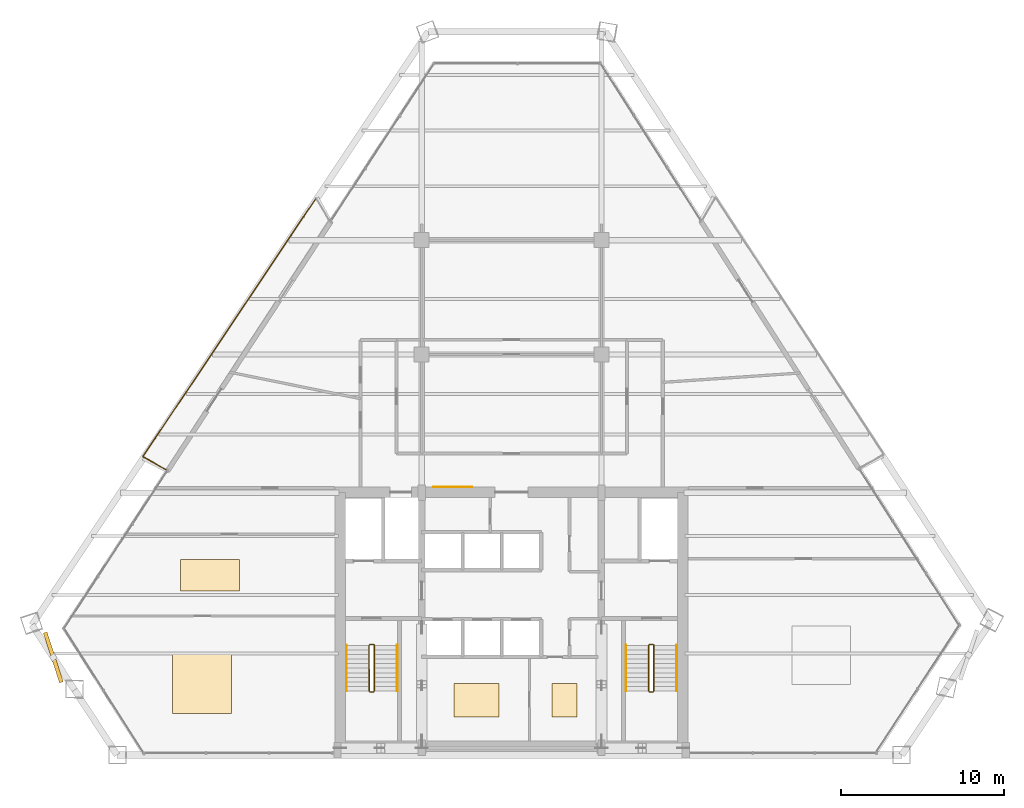
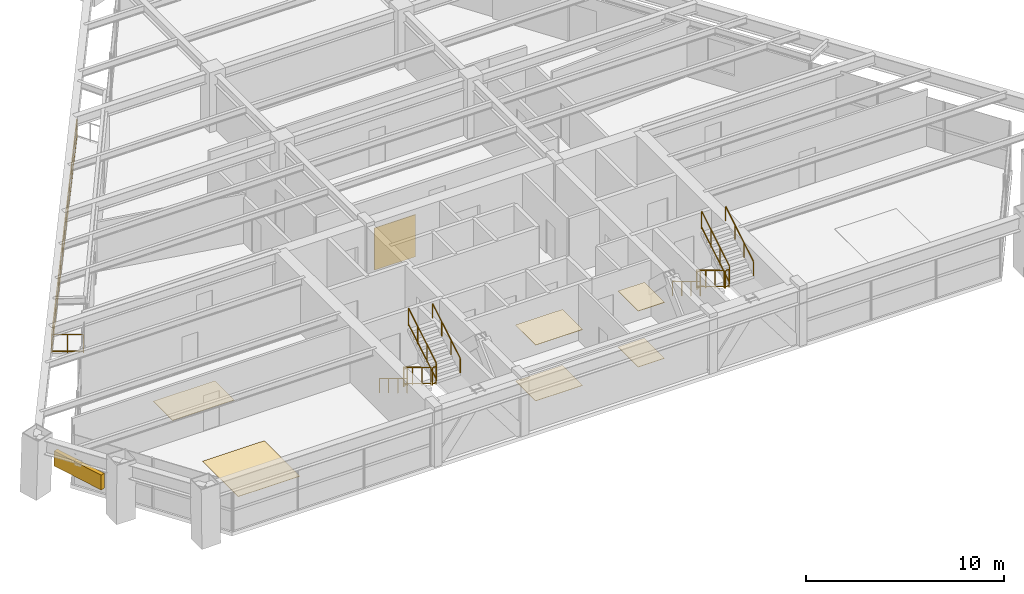
# One storey, part 13 of 14: 14 railings, 7 coverings, 1 shading device.
"""IFC4 building model written with IfcOpenShell, lengths in metres."""

from ifc_helpers import new_model, si_unit, direction, frame, origin, origin_2d, place, context, subcontext, project, spatial, rectangle, extrude, source, transform, mapped, material, layer, layer_set, type_object, type_shapes, element, save


model = new_model("IFC4")

# Units and contexts
model_context = context("Model", 3, precision=1e-05, world=origin(), true_north=direction((0.0, 1.0)))
body_context = subcontext(model_context, "Body", "Model", "MODEL_VIEW")
ifc_project = project(units=[si_unit("LENGTHUNIT", "METRE"), si_unit("AREAUNIT", "SQUARE_METRE"), si_unit("VOLUMEUNIT", "CUBIC_METRE"), si_unit("PLANEANGLEUNIT", "RADIAN"), si_unit("MASSUNIT", "GRAM", prefix="KILO")], contexts=[model_context])

# Site, building, storey
site_placement = place(None, origin())
site = spatial("IfcSite", under=ifc_project, at=site_placement, CompositionType="ELEMENT")
building_placement = place(site_placement, origin())
building = spatial("IfcBuilding", under=site, at=building_placement, Name="Varnakhor Terracotta Tower", CompositionType="ELEMENT")
storey_placement = place(building_placement, frame((0.0, 0.0, 133.0)))
storey = spatial("IfcBuildingStorey", under=building, at=storey_placement, Name="L33", CompositionType="ELEMENT", Elevation=133.0)

# Railings
ifc_material_1 = material(Name="Stainless Steel & Laminated Glass Guardrail", Category="steel")
railing_type_1 = type_object("IfcRailingType", Name="RLG-LOGGIA-GUARD-1150", PredefinedType="GUARDRAIL", material=ifc_material_1)
railing_1_placement = place(storey_placement, frame((-21.159912109375, 17.462646484375, 0.0)))
element("IfcRailing", 1, at=railing_1_placement, inside=storey, type_object=railing_type_1, Name="L33 W Loggia Glass Guard 1", PredefinedType="GUARDRAIL", context=body_context, shape_type="SweptSolid", body=[
    extrude(rectangle(XDim=0.048095703125, YDim=0.048095703125, at=origin_2d()), frame((0.0, 0.0, 1.1259765625), z_axis=(-0.870540228772, 0.492097256738, 0.0), x_axis=(-0.492097256738, -0.870540228772, 0.0)), (0.0, 0.0, 1.0), 1.60888671875),
    extrude(rectangle(XDim=0.048095703125, YDim=0.048095703125, at=origin_2d()), frame((0.0, 0.0, 0.10009765625), z_axis=(-0.870540228772, 0.492097256738, 0.0), x_axis=(-0.492097256738, -0.870540228772, 0.0)), (0.0, 0.0, 1.0), 1.60888671875),
    extrude(rectangle(XDim=0.0419921875, YDim=0.0419921875, at=origin_2d()), origin(), (0.0, 0.0, 1.0), 1.101806640625),
    extrude(rectangle(XDim=0.0419921875, YDim=0.0419921875, at=origin_2d()), frame((-0.7001953125, 0.39599609375, 0.0)), (0.0, 0.0, 1.0), 1.101806640625),
    extrude(rectangle(XDim=0.0419921875, YDim=0.0419921875, at=origin_2d()), frame((-1.400634765625, 0.791748046875, 0.0)), (0.0, 0.0, 1.0), 1.101806640625),
])
railing_2_placement = place(storey_placement, frame((-22.560546875, 18.25439453125, 0.0)))
element("IfcRailing", 2, at=railing_2_placement, inside=storey, type_object=railing_type_1, Name="L33 W Loggia Glass Guard 2", PredefinedType="GUARDRAIL", context=body_context, shape_type="SweptSolid", body=[
    extrude(rectangle(XDim=0.048095703125, YDim=0.048095703125, at=origin_2d()), frame((0.0, 0.0, 1.1259765625), z_axis=(0.556667052983, 0.8307356933, 0.0), x_axis=(-0.8307356933, 0.556667052983, 0.0)), (0.0, 0.0, 1.0), 19.03369140625),
    extrude(rectangle(XDim=0.048095703125, YDim=0.048095703125, at=origin_2d()), frame((0.0, 0.0, 0.10009765625), z_axis=(0.556667052983, 0.8307356933, 0.0), x_axis=(-0.8307356933, 0.556667052983, 0.0)), (0.0, 0.0, 1.0), 19.03369140625),
    extrude(rectangle(XDim=0.0419921875, YDim=0.0419921875, at=origin_2d()), origin(), (0.0, 0.0, 1.0), 1.101806640625),
    extrude(rectangle(XDim=0.0419921875, YDim=0.0419921875, at=origin_2d()), frame((0.7568359375, 1.12939453125, 0.0)), (0.0, 0.0, 1.0), 1.101806640625),
    extrude(rectangle(XDim=0.0419921875, YDim=0.0419921875, at=origin_2d()), frame((1.513671875, 2.2587890625, 0.0)), (0.0, 0.0, 1.0), 1.101806640625),
    extrude(rectangle(XDim=0.0419921875, YDim=0.0419921875, at=origin_2d()), frame((2.2705078125, 3.38818359375, 0.0)), (0.0, 0.0, 1.0), 1.101806640625),
    extrude(rectangle(XDim=0.0419921875, YDim=0.0419921875, at=origin_2d()), frame((3.02734375, 4.517822265625, 0.0)), (0.0, 0.0, 1.0), 1.101806640625),
    extrude(rectangle(XDim=0.0419921875, YDim=0.0419921875, at=origin_2d()), frame((3.7841796875, 5.647216796875, 0.0)), (0.0, 0.0, 1.0), 1.101806640625),
    extrude(rectangle(XDim=0.0419921875, YDim=0.0419921875, at=origin_2d()), frame((4.541015625, 6.776611328125, 0.0)), (0.0, 0.0, 1.0), 1.101806640625),
    extrude(rectangle(XDim=0.0419921875, YDim=0.0419921875, at=origin_2d()), frame((5.2978515625, 7.906005859375, 0.0)), (0.0, 0.0, 1.0), 1.101806640625),
    extrude(rectangle(XDim=0.0419921875, YDim=0.0419921875, at=origin_2d()), frame((6.054443359375, 9.035400390625, 0.0)), (0.0, 0.0, 1.0), 1.101806640625),
    extrude(rectangle(XDim=0.0419921875, YDim=0.0419921875, at=origin_2d()), frame((6.811279296875, 10.164794921875, 0.0)), (0.0, 0.0, 1.0), 1.101806640625),
    extrude(rectangle(XDim=0.0419921875, YDim=0.0419921875, at=origin_2d()), frame((7.568115234375, 11.294189453125, 0.0)), (0.0, 0.0, 1.0), 1.101806640625),
    extrude(rectangle(XDim=0.0419921875, YDim=0.0419921875, at=origin_2d()), frame((8.324951171875, 12.423828125, 0.0)), (0.0, 0.0, 1.0), 1.101806640625),
    extrude(rectangle(XDim=0.0419921875, YDim=0.0419921875, at=origin_2d()), frame((9.081787109375, 13.55322265625, 0.0)), (0.0, 0.0, 1.0), 1.101806640625),
    extrude(rectangle(XDim=0.0419921875, YDim=0.0419921875, at=origin_2d()), frame((9.838623046875, 14.6826171875, 0.0)), (0.0, 0.0, 1.0), 1.101806640625),
    extrude(rectangle(XDim=0.0419921875, YDim=0.0419921875, at=origin_2d()), frame((10.595458984375, 15.81201171875, 0.0)), (0.0, 0.0, 1.0), 1.101806640625),
])
ifc_material_2 = material(Name="Painted Steel Stairwell Guardrail", Category="steel")
railing_type_2 = type_object("IfcRailingType", Name="RLG-STAIR-GUARD-1120", PredefinedType="GUARDRAIL", material=ifc_material_2)
railing_3_placement = place(storey_placement, frame((-8.699951171875, 6.7099609375, 0.168212890625)))
element("IfcRailing", 3, at=railing_3_placement, inside=storey, type_object=railing_type_2, Name="L33 ST-1 stair guard 1", PredefinedType="GUARDRAIL", context=body_context, shape_type="SweptSolid", body=[
    extrude(rectangle(XDim=0.048095703125, YDim=0.048095703125, at=origin_2d()), frame((0.0, 0.0, 1.09619140625), z_axis=(0.0, -0.857242210791, 0.514913383045), x_axis=(1.0, 0.0, 0.0)), (0.0, 0.0, 1.0), 3.266357421875),
    extrude(rectangle(XDim=0.048095703125, YDim=0.048095703125, at=origin_2d()), frame((0.0, 0.0, 0.10009765625), z_axis=(0.0, -0.857242210791, 0.514913383045), x_axis=(1.0, 0.0, 0.0)), (0.0, 0.0, 1.0), 3.266357421875),
    extrude(rectangle(XDim=0.0419921875, YDim=0.0419921875, at=origin_2d()), origin(), (0.0, 0.0, 1.0), 1.072021484375),
    extrude(rectangle(XDim=0.0419921875, YDim=0.0419921875, at=origin_2d()), frame((0.0, -0.933349609375, 0.560546875)), (0.0, 0.0, 1.0), 1.072021484375),
    extrude(rectangle(XDim=0.0419921875, YDim=0.0419921875, at=origin_2d()), frame((0.0, -1.86669921875, 1.121337890625)), (0.0, 0.0, 1.0), 1.072021484375),
    extrude(rectangle(XDim=0.0419921875, YDim=0.0419921875, at=origin_2d()), frame((0.0, -2.800048828125, 1.681884765625)), (0.0, 0.0, 1.0), 1.072021484375),
])
railing_4_placement = place(storey_placement, frame((-8.64990234375, 3.860107421875, 1.85009765625)))
element("IfcRailing", 4, at=railing_4_placement, inside=storey, type_object=railing_type_2, Name="L33 ST-1 stair guard 2", PredefinedType="GUARDRAIL", context=body_context, shape_type="SweptSolid", body=[
    extrude(rectangle(XDim=0.048095703125, YDim=0.048095703125, at=origin_2d()), frame((0.0, 0.0, 1.09619140625), z_axis=(1.0, 0.0, 0.0), x_axis=(0.0, 1.0, 0.0)), (0.0, 0.0, 1.0), 0.199951171875),
    extrude(rectangle(XDim=0.048095703125, YDim=0.048095703125, at=origin_2d()), frame((0.0, 0.0, 0.10009765625), z_axis=(1.0, 0.0, 0.0), x_axis=(0.0, 1.0, 0.0)), (0.0, 0.0, 1.0), 0.199951171875),
    extrude(rectangle(XDim=0.0419921875, YDim=0.0419921875, at=origin_2d()), origin(), (0.0, 0.0, 1.0), 1.072021484375),
    extrude(rectangle(XDim=0.0419921875, YDim=0.0419921875, at=origin_2d()), frame((0.199951171875, 0.0, 0.0)), (0.0, 0.0, 1.0), 1.072021484375),
])
railing_5_placement = place(storey_placement, frame((-8.39990234375, 3.909912109375, 2.01806640625)))
element("IfcRailing", 5, at=railing_5_placement, inside=storey, type_object=railing_type_2, Name="L33 ST-1 stair guard 3", PredefinedType="GUARDRAIL", context=body_context, shape_type="SweptSolid", body=[
    extrude(rectangle(XDim=0.048095703125, YDim=0.048095703125, at=origin_2d()), frame((0.0, 0.0, 1.09619140625), z_axis=(0.0, 0.857242210791, 0.514913383045), x_axis=(-1.0, 0.0, 0.0)), (0.0, 0.0, 1.0), 3.266357421875),
    extrude(rectangle(XDim=0.048095703125, YDim=0.048095703125, at=origin_2d()), frame((0.0, 0.0, 0.10009765625), z_axis=(0.0, 0.857242210791, 0.514913383045), x_axis=(-1.0, 0.0, 0.0)), (0.0, 0.0, 1.0), 3.266357421875),
    extrude(rectangle(XDim=0.0419921875, YDim=0.0419921875, at=origin_2d()), origin(), (0.0, 0.0, 1.0), 1.072021484375),
    extrude(rectangle(XDim=0.0419921875, YDim=0.0419921875, at=origin_2d()), frame((0.0, 0.933349609375, 0.560546875)), (0.0, 0.0, 1.0), 1.072021484375),
    extrude(rectangle(XDim=0.0419921875, YDim=0.0419921875, at=origin_2d()), frame((0.0, 1.86669921875, 1.121337890625)), (0.0, 0.0, 1.0), 1.072021484375),
    extrude(rectangle(XDim=0.0419921875, YDim=0.0419921875, at=origin_2d()), frame((0.0, 2.800048828125, 1.681884765625)), (0.0, 0.0, 1.0), 1.072021484375),
])
railing_6_placement = place(storey_placement, frame((-8.64990234375, 6.760009765625, 0.0)))
element("IfcRailing", 6, at=railing_6_placement, inside=storey, type_object=railing_type_2, Name="L33 ST-1 stair guard 4", PredefinedType="GUARDRAIL", context=body_context, shape_type="SweptSolid", body=[
    extrude(rectangle(XDim=0.048095703125, YDim=0.048095703125, at=origin_2d()), frame((0.0, 0.0, 1.09619140625), z_axis=(1.0, 0.0, 0.0), x_axis=(0.0, 1.0, 0.0)), (0.0, 0.0, 1.0), 0.199951171875),
    extrude(rectangle(XDim=0.048095703125, YDim=0.048095703125, at=origin_2d()), frame((0.0, 0.0, 0.10009765625), z_axis=(1.0, 0.0, 0.0), x_axis=(0.0, 1.0, 0.0)), (0.0, 0.0, 1.0), 0.199951171875),
    extrude(rectangle(XDim=0.0419921875, YDim=0.0419921875, at=origin_2d()), origin(), (0.0, 0.0, 1.0), 1.072021484375),
    extrude(rectangle(XDim=0.0419921875, YDim=0.0419921875, at=origin_2d()), frame((0.199951171875, 0.0, 0.0)), (0.0, 0.0, 1.0), 1.072021484375),
])
railing_7_placement = place(storey_placement, frame((8.39990234375, 6.7099609375, 0.168212890625)))
element("IfcRailing", 7, at=railing_7_placement, inside=storey, type_object=railing_type_2, Name="L33 ST-2 stair guard 1", PredefinedType="GUARDRAIL", context=body_context, shape_type="SweptSolid", body=[
    extrude(rectangle(XDim=0.048095703125, YDim=0.048095703125, at=origin_2d()), frame((0.0, 0.0, 1.09619140625), z_axis=(0.0, -0.857242210791, 0.514913383045), x_axis=(1.0, 0.0, 0.0)), (0.0, 0.0, 1.0), 3.266357421875),
    extrude(rectangle(XDim=0.048095703125, YDim=0.048095703125, at=origin_2d()), frame((0.0, 0.0, 0.10009765625), z_axis=(0.0, -0.857242210791, 0.514913383045), x_axis=(1.0, 0.0, 0.0)), (0.0, 0.0, 1.0), 3.266357421875),
    extrude(rectangle(XDim=0.0419921875, YDim=0.0419921875, at=origin_2d()), origin(), (0.0, 0.0, 1.0), 1.072021484375),
    extrude(rectangle(XDim=0.0419921875, YDim=0.0419921875, at=origin_2d()), frame((0.0, -0.933349609375, 0.560546875)), (0.0, 0.0, 1.0), 1.072021484375),
    extrude(rectangle(XDim=0.0419921875, YDim=0.0419921875, at=origin_2d()), frame((0.0, -1.86669921875, 1.121337890625)), (0.0, 0.0, 1.0), 1.072021484375),
    extrude(rectangle(XDim=0.0419921875, YDim=0.0419921875, at=origin_2d()), frame((0.0, -2.800048828125, 1.681884765625)), (0.0, 0.0, 1.0), 1.072021484375),
])
railing_8_placement = place(storey_placement, frame((8.449951171875, 3.860107421875, 1.85009765625)))
element("IfcRailing", 8, at=railing_8_placement, inside=storey, type_object=railing_type_2, Name="L33 ST-2 stair guard 2", PredefinedType="GUARDRAIL", context=body_context, shape_type="SweptSolid", body=[
    extrude(rectangle(XDim=0.048095703125, YDim=0.048095703125, at=origin_2d()), frame((0.0, 0.0, 1.09619140625), z_axis=(1.0, 0.0, 0.0), x_axis=(0.0, 1.0, 0.0)), (0.0, 0.0, 1.0), 0.199951171875),
    extrude(rectangle(XDim=0.048095703125, YDim=0.048095703125, at=origin_2d()), frame((0.0, 0.0, 0.10009765625), z_axis=(1.0, 0.0, 0.0), x_axis=(0.0, 1.0, 0.0)), (0.0, 0.0, 1.0), 0.199951171875),
    extrude(rectangle(XDim=0.0419921875, YDim=0.0419921875, at=origin_2d()), origin(), (0.0, 0.0, 1.0), 1.072021484375),
    extrude(rectangle(XDim=0.0419921875, YDim=0.0419921875, at=origin_2d()), frame((0.199951171875, 0.0, 0.0)), (0.0, 0.0, 1.0), 1.072021484375),
])
railing_9_placement = place(storey_placement, frame((8.699951171875, 3.909912109375, 2.01806640625)))
element("IfcRailing", 9, at=railing_9_placement, inside=storey, type_object=railing_type_2, Name="L33 ST-2 stair guard 3", PredefinedType="GUARDRAIL", context=body_context, shape_type="SweptSolid", body=[
    extrude(rectangle(XDim=0.048095703125, YDim=0.048095703125, at=origin_2d()), frame((0.0, 0.0, 1.09619140625), z_axis=(0.0, 0.857242210791, 0.514913383045), x_axis=(-1.0, 0.0, 0.0)), (0.0, 0.0, 1.0), 3.266357421875),
    extrude(rectangle(XDim=0.048095703125, YDim=0.048095703125, at=origin_2d()), frame((0.0, 0.0, 0.10009765625), z_axis=(0.0, 0.857242210791, 0.514913383045), x_axis=(-1.0, 0.0, 0.0)), (0.0, 0.0, 1.0), 3.266357421875),
    extrude(rectangle(XDim=0.0419921875, YDim=0.0419921875, at=origin_2d()), origin(), (0.0, 0.0, 1.0), 1.072021484375),
    extrude(rectangle(XDim=0.0419921875, YDim=0.0419921875, at=origin_2d()), frame((0.0, 0.933349609375, 0.560546875)), (0.0, 0.0, 1.0), 1.072021484375),
    extrude(rectangle(XDim=0.0419921875, YDim=0.0419921875, at=origin_2d()), frame((0.0, 1.86669921875, 1.121337890625)), (0.0, 0.0, 1.0), 1.072021484375),
    extrude(rectangle(XDim=0.0419921875, YDim=0.0419921875, at=origin_2d()), frame((0.0, 2.800048828125, 1.681884765625)), (0.0, 0.0, 1.0), 1.072021484375),
])
railing_10_placement = place(storey_placement, frame((8.449951171875, 6.760009765625, 0.0)))
element("IfcRailing", 10, at=railing_10_placement, inside=storey, type_object=railing_type_2, Name="L33 ST-2 stair guard 4", PredefinedType="GUARDRAIL", context=body_context, shape_type="SweptSolid", body=[
    extrude(rectangle(XDim=0.048095703125, YDim=0.048095703125, at=origin_2d()), frame((0.0, 0.0, 1.09619140625), z_axis=(1.0, 0.0, 0.0), x_axis=(0.0, 1.0, 0.0)), (0.0, 0.0, 1.0), 0.199951171875),
    extrude(rectangle(XDim=0.048095703125, YDim=0.048095703125, at=origin_2d()), frame((0.0, 0.0, 0.10009765625), z_axis=(1.0, 0.0, 0.0), x_axis=(0.0, 1.0, 0.0)), (0.0, 0.0, 1.0), 0.199951171875),
    extrude(rectangle(XDim=0.0419921875, YDim=0.0419921875, at=origin_2d()), origin(), (0.0, 0.0, 1.0), 1.072021484375),
    extrude(rectangle(XDim=0.0419921875, YDim=0.0419921875, at=origin_2d()), frame((0.199951171875, 0.0, 0.0)), (0.0, 0.0, 1.0), 1.072021484375),
])
ifc_material_3 = material(Name="Brushed Stainless Steel Handrail", Category="steel")
railing_type_3 = type_object("IfcRailingType", Name="RLG-STAIR-HANDRAIL-920", PredefinedType="HANDRAIL", material=ifc_material_3)
railing_11_placement = place(storey_placement, frame((-10.10009765625, 6.7099609375, 0.168212890625)))
element("IfcRailing", 11, at=railing_11_placement, inside=storey, type_object=railing_type_3, Name="L33 ST-1 stair handrail 1", PredefinedType="HANDRAIL", context=body_context, shape_type="SweptSolid", body=[
    extrude(rectangle(XDim=0.048095703125, YDim=0.048095703125, at=origin_2d()), frame((0.0, 0.0, 0.89599609375), z_axis=(0.0, -0.857242210791, 0.514913383045), x_axis=(1.0, 0.0, 0.0)), (0.0, 0.0, 1.0), 3.266357421875),
    extrude(rectangle(XDim=0.0419921875, YDim=0.0419921875, at=origin_2d()), origin(), (0.0, 0.0, 1.0), 0.871826171875),
    extrude(rectangle(XDim=0.0419921875, YDim=0.0419921875, at=origin_2d()), frame((0.0, -0.933349609375, 0.560546875)), (0.0, 0.0, 1.0), 0.871826171875),
    extrude(rectangle(XDim=0.0419921875, YDim=0.0419921875, at=origin_2d()), frame((0.0, -1.86669921875, 1.121337890625)), (0.0, 0.0, 1.0), 0.871826171875),
    extrude(rectangle(XDim=0.0419921875, YDim=0.0419921875, at=origin_2d()), frame((0.0, -2.800048828125, 1.681884765625)), (0.0, 0.0, 1.0), 0.871826171875),
])
railing_12_placement = place(storey_placement, frame((-7.0, 3.909912109375, 2.01806640625)))
element("IfcRailing", 12, at=railing_12_placement, inside=storey, type_object=railing_type_3, Name="L33 ST-1 stair handrail 2", PredefinedType="HANDRAIL", context=body_context, shape_type="SweptSolid", body=[
    extrude(rectangle(XDim=0.048095703125, YDim=0.048095703125, at=origin_2d()), frame((0.0, 0.0, 0.89599609375), z_axis=(0.0, 0.857242210791, 0.514913383045), x_axis=(-1.0, 0.0, 0.0)), (0.0, 0.0, 1.0), 3.266357421875),
    extrude(rectangle(XDim=0.0419921875, YDim=0.0419921875, at=origin_2d()), origin(), (0.0, 0.0, 1.0), 0.871826171875),
    extrude(rectangle(XDim=0.0419921875, YDim=0.0419921875, at=origin_2d()), frame((0.0, 0.933349609375, 0.560546875)), (0.0, 0.0, 1.0), 0.871826171875),
    extrude(rectangle(XDim=0.0419921875, YDim=0.0419921875, at=origin_2d()), frame((0.0, 1.86669921875, 1.121337890625)), (0.0, 0.0, 1.0), 0.871826171875),
    extrude(rectangle(XDim=0.0419921875, YDim=0.0419921875, at=origin_2d()), frame((0.0, 2.800048828125, 1.681884765625)), (0.0, 0.0, 1.0), 0.871826171875),
])
railing_13_placement = place(storey_placement, frame((7.0, 6.7099609375, 0.168212890625)))
element("IfcRailing", 13, at=railing_13_placement, inside=storey, type_object=railing_type_3, Name="L33 ST-2 stair handrail 1", PredefinedType="HANDRAIL", context=body_context, shape_type="SweptSolid", body=[
    extrude(rectangle(XDim=0.048095703125, YDim=0.048095703125, at=origin_2d()), frame((0.0, 0.0, 0.89599609375), z_axis=(0.0, -0.857242210791, 0.514913383045), x_axis=(1.0, 0.0, 0.0)), (0.0, 0.0, 1.0), 3.266357421875),
    extrude(rectangle(XDim=0.0419921875, YDim=0.0419921875, at=origin_2d()), origin(), (0.0, 0.0, 1.0), 0.871826171875),
    extrude(rectangle(XDim=0.0419921875, YDim=0.0419921875, at=origin_2d()), frame((0.0, -0.933349609375, 0.560546875)), (0.0, 0.0, 1.0), 0.871826171875),
    extrude(rectangle(XDim=0.0419921875, YDim=0.0419921875, at=origin_2d()), frame((0.0, -1.86669921875, 1.121337890625)), (0.0, 0.0, 1.0), 0.871826171875),
    extrude(rectangle(XDim=0.0419921875, YDim=0.0419921875, at=origin_2d()), frame((0.0, -2.800048828125, 1.681884765625)), (0.0, 0.0, 1.0), 0.871826171875),
])
railing_14_placement = place(storey_placement, frame((10.10009765625, 3.909912109375, 2.01806640625)))
element("IfcRailing", 14, at=railing_14_placement, inside=storey, type_object=railing_type_3, Name="L33 ST-2 stair handrail 2", PredefinedType="HANDRAIL", context=body_context, shape_type="SweptSolid", body=[
    extrude(rectangle(XDim=0.048095703125, YDim=0.048095703125, at=origin_2d()), frame((0.0, 0.0, 0.89599609375), z_axis=(0.0, 0.857242210791, 0.514913383045), x_axis=(-1.0, 0.0, 0.0)), (0.0, 0.0, 1.0), 3.266357421875),
    extrude(rectangle(XDim=0.0419921875, YDim=0.0419921875, at=origin_2d()), origin(), (0.0, 0.0, 1.0), 0.871826171875),
    extrude(rectangle(XDim=0.0419921875, YDim=0.0419921875, at=origin_2d()), frame((0.0, 0.933349609375, 0.560546875)), (0.0, 0.0, 1.0), 0.871826171875),
    extrude(rectangle(XDim=0.0419921875, YDim=0.0419921875, at=origin_2d()), frame((0.0, 1.86669921875, 1.121337890625)), (0.0, 0.0, 1.0), 0.871826171875),
    extrude(rectangle(XDim=0.0419921875, YDim=0.0419921875, at=origin_2d()), frame((0.0, 2.800048828125, 1.681884765625)), (0.0, 0.0, 1.0), 0.871826171875),
])

# Shading device
ifc_material_4 = material(Name="Extruded Architectural Terracotta Screen", Category="masonry")
shading_device_type = type_object("IfcShadingDeviceType", Name="TERRACOTTA SOLAR SCREEN W", PredefinedType="USERDEFINED", material=ifc_material_4)
shared_shape_1 = source(origin(), body_context, "Body", "SweptSolid", [
    extrude(rectangle(XDim=3.199951171875, YDim=0.239990234375, at=origin_2d()), origin(), (0.0, 0.0, 1.0), 0.919921875),
])
type_shapes(shading_device_type, [shared_shape_1])
shading_device_placement = place(storey_placement, frame((-28.042236328125, 5.971435546875, 1.7099609375), z_axis=(0.0, 0.0, 1.0), x_axis=(0.311721388246, -0.950173550521, 0.0)))
element("IfcShadingDevice", 15, at=shading_device_placement, inside=storey, type_object=shading_device_type, Name="L33 W Terracotta Solar Screen", ObjectType="SCREEN", PredefinedType="USERDEFINED", context=body_context, shape_type="MappedRepresentation", body=[
    mapped(shared_shape_1, transform((0.0, 0.0, 0.0), scale=1.0)),
])

# Coverings
ifc_material_5 = material(Name="Extruded Architectural Terracotta Cladding", Category="masonry")
ifc_layer_1 = layer(ifc_material_5, 0.044921875, Name="Extruded Architectural Terracotta Cladding")
ifc_layer_set_1 = layer_set([ifc_layer_1], Name="Extruded Architectural Terracotta Cladding")
covering_type_1 = type_object("IfcCoveringType", Name="COV-CLAD-TERRACOTTA", PredefinedType="CLADDING", material=ifc_layer_set_1)
shared_shape_2 = source(origin(), body_context, "Body", "SweptSolid", [
    extrude(rectangle(XDim=2.39990234375, YDim=0.030029296875, at=origin_2d()), origin(), (0.0, 0.0, 1.0), 2.60009765625),
])
type_shapes(covering_type_1, [shared_shape_2])
covering_1_placement = place(storey_placement, frame((-3.60009765625, 16.412109375, 0.0), z_axis=(0.0, 0.0, 1.0), x_axis=(1.0, 0.0, 0.0)))
element("IfcCovering", 16, at=covering_1_placement, inside=storey, type_object=covering_type_1, Name="L33 Core Lobby Limestone Cladding", PredefinedType="CLADDING", context=body_context, shape_type="MappedRepresentation", body=[
    mapped(shared_shape_2, transform((0.0, 0.0, 0.0), scale=1.0)),
])
ifc_material_6 = material(Name="Honed Riyadh Limestone Flooring", Category="masonry")
ifc_layer_2 = layer(ifc_material_6, 0.030029296875, Name="Honed Riyadh Limestone Flooring")
ifc_layer_set_2 = layer_set([ifc_layer_2], Name="Honed Riyadh Limestone Flooring")
covering_type_2 = type_object("IfcCoveringType", Name="COV-FLOOR-LIMESTONE", PredefinedType="FLOORING", material=ifc_layer_set_2)
shared_shape_3 = source(origin(), body_context, "Body", "SweptSolid", [
    extrude(rectangle(XDim=3.60009765625, YDim=3.60009765625, at=origin_2d()), origin(), (0.0, 0.0, 1.0), 0.02001953125),
])
covering_2_placement = place(storey_placement, frame((-18.94189453125, 4.35205078125, 0.0), z_axis=(0.0, 0.0, 1.0), x_axis=(1.0, 0.0, 0.0)))
element("IfcCovering", 17, at=covering_2_placement, inside=storey, type_object=covering_type_2, Name="L33 Honed Stone Flooring 3", PredefinedType="FLOORING", context=body_context, shape_type="MappedRepresentation", body=[
    mapped(shared_shape_3, transform((0.0, 0.0, 0.0), scale=1.0)),
])
shared_shape_4 = source(origin(), body_context, "Body", "SweptSolid", [
    extrude(rectangle(XDim=3.60009765625, YDim=1.950927734375, at=origin_2d()), origin(), (0.0, 0.0, 1.0), 0.02001953125),
])
covering_3_placement = place(storey_placement, frame((-18.45703125, 11.0, 0.0), z_axis=(0.0, 0.0, 1.0), x_axis=(1.0, 0.0, 0.0)))
element("IfcCovering", 18, at=covering_3_placement, inside=storey, type_object=covering_type_2, Name="L33 Honed Stone Flooring 5", PredefinedType="FLOORING", context=body_context, shape_type="MappedRepresentation", body=[
    mapped(shared_shape_4, transform((0.0, 0.0, 0.0), scale=1.0)),
])
shared_shape_5 = source(origin(), body_context, "Body", "SweptSolid", [
    extrude(rectangle(XDim=2.75, YDim=2.041015625, at=origin_2d()), origin(), (0.0, 0.0, 1.0), 0.02001953125),
])
covering_4_placement = place(storey_placement, frame((-2.139892578125, 3.35498046875, 0.0), z_axis=(0.0, 0.0, 1.0), x_axis=(1.0, 0.0, 0.0)))
element("IfcCovering", 19, at=covering_4_placement, inside=storey, type_object=covering_type_2, Name="L33 Honed Stone Flooring 1", PredefinedType="FLOORING", context=body_context, shape_type="MappedRepresentation", body=[
    mapped(shared_shape_5, transform((0.0, 0.0, 0.0), scale=1.0)),
])
ifc_material_7 = material(Name="Perforated Acoustic Mineral-Fibre Ceiling", Category="gypsum")
ifc_layer_3 = layer(ifc_material_7, 0.02490234375, Name="Perforated Acoustic Mineral-Fibre Ceiling")
ifc_layer_set_3 = layer_set([ifc_layer_3], Name="Perforated Acoustic Mineral-Fibre Ceiling")
covering_type_3 = type_object("IfcCoveringType", Name="COV-CEILING-ACOUSTIC", PredefinedType="CEILING", material=ifc_layer_set_3)
shared_shape_6 = source(origin(), body_context, "Body", "SweptSolid", [
    extrude(rectangle(XDim=2.75, YDim=2.041015625, at=origin_2d()), origin(), (0.0, 0.0, 1.0), 0.02392578125),
])
covering_5_placement = place(storey_placement, frame((-2.139892578125, 3.35498046875, 3.446044921875), z_axis=(0.0, 0.0, 1.0), x_axis=(1.0, 0.0, 0.0)))
element("IfcCovering", 20, at=covering_5_placement, inside=storey, type_object=covering_type_3, Name="L33 Acoustic Ceiling Panel 1", PredefinedType="CEILING", context=body_context, shape_type="MappedRepresentation", body=[
    mapped(shared_shape_6, transform((0.0, 0.0, 0.0), scale=1.0)),
])
shared_shape_7 = source(origin(), body_context, "Body", "SweptSolid", [
    extrude(rectangle(XDim=1.5400390625, YDim=2.041015625, at=origin_2d()), origin(), (0.0, 0.0, 1.0), 0.02001953125),
])
covering_6_placement = place(storey_placement, frame((3.239990234375, 3.35498046875, 0.0), z_axis=(0.0, 0.0, 1.0), x_axis=(1.0, 0.0, 0.0)))
element("IfcCovering", 21, at=covering_6_placement, inside=storey, type_object=covering_type_2, Name="L33 Honed Stone Flooring 2", PredefinedType="FLOORING", context=body_context, shape_type="MappedRepresentation", body=[
    mapped(shared_shape_7, transform((0.0, 0.0, 0.0), scale=1.0)),
])
shared_shape_8 = source(origin(), body_context, "Body", "SweptSolid", [
    extrude(rectangle(XDim=1.5400390625, YDim=2.041015625, at=origin_2d()), origin(), (0.0, 0.0, 1.0), 0.02392578125),
])
covering_7_placement = place(storey_placement, frame((3.239990234375, 3.35498046875, 3.446044921875), z_axis=(0.0, 0.0, 1.0), x_axis=(1.0, 0.0, 0.0)))
element("IfcCovering", 22, at=covering_7_placement, inside=storey, type_object=covering_type_3, Name="L33 Acoustic Ceiling Panel 2", PredefinedType="CEILING", context=body_context, shape_type="MappedRepresentation", body=[
    mapped(shared_shape_8, transform((0.0, 0.0, 0.0), scale=1.0)),
])

save(model, "model.ifc")
